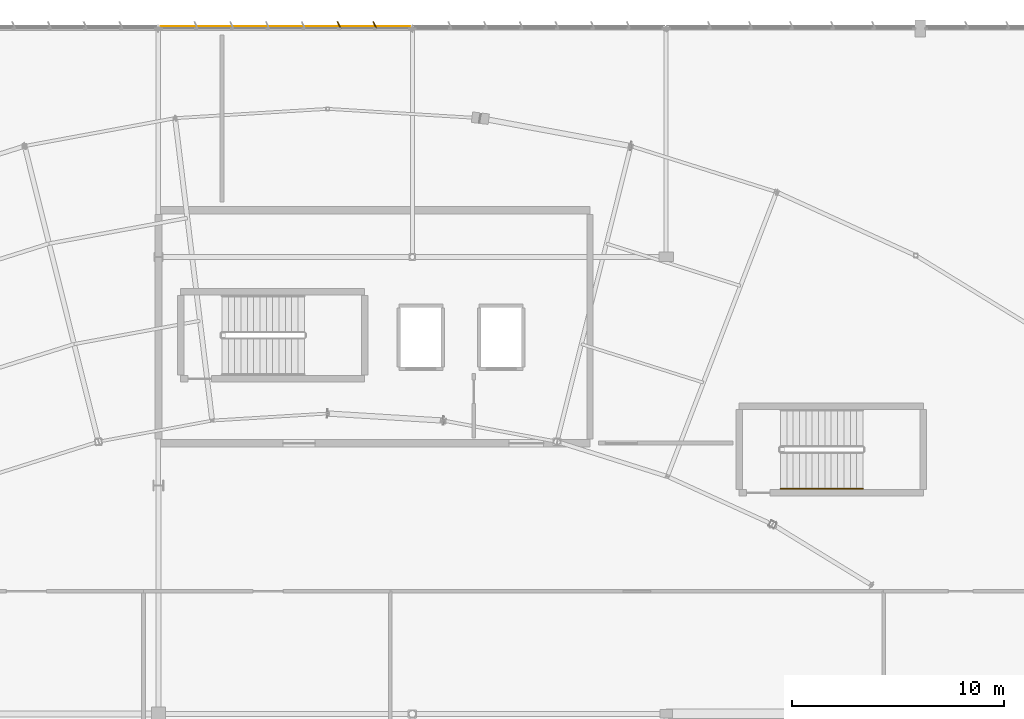
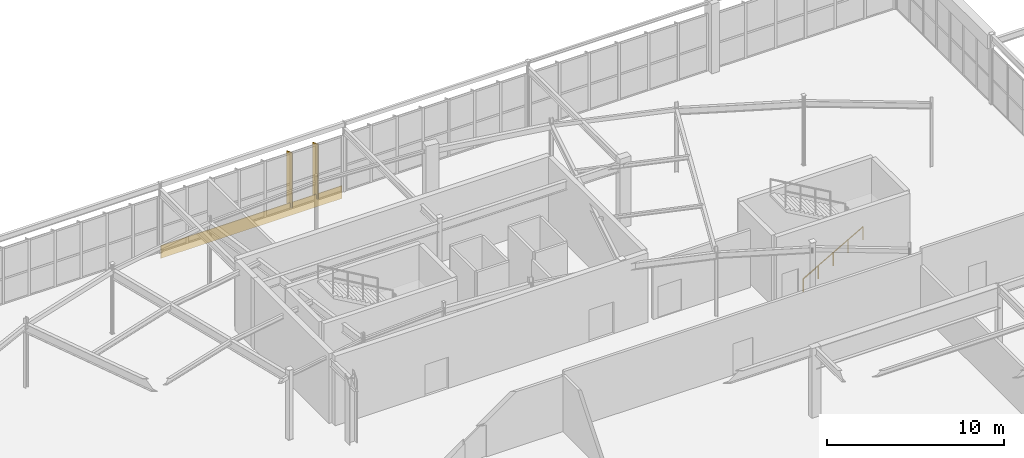
# One storey, part 174 of 186: 2 shading devices, 1 covering, 1 railing.
"""IFC4 building model written with IfcOpenShell, lengths in metres."""

from ifc_helpers import new_model, si_unit, direction, frame, origin, origin_2d, place, context, subcontext, project, spatial, rectangle, circle, extrude, material, layer, layer_set, type_object, element, save


model = new_model("IFC4")

# Units and contexts
model_context = context("Model", 3, precision=1e-05, world=origin(), true_north=direction((0.0, 1.0)))
body_context = subcontext(model_context, "Body", "Model", "MODEL_VIEW")
ifc_project = project(units=[si_unit("LENGTHUNIT", "METRE"), si_unit("AREAUNIT", "SQUARE_METRE"), si_unit("VOLUMEUNIT", "CUBIC_METRE"), si_unit("PLANEANGLEUNIT", "RADIAN"), si_unit("MASSUNIT", "GRAM", prefix="KILO")], contexts=[model_context])

# Site, building, storey
site_placement = place(None, origin())
site = spatial("IfcSite", under=ifc_project, at=site_placement, CompositionType="ELEMENT")
building_placement = place(site_placement, origin())
building = spatial("IfcBuilding", under=site, at=building_placement, Name="Tarnwether General Hospital", CompositionType="ELEMENT")
storey_placement = place(building_placement, frame((0.0, 0.0, 9.60009765625)))
storey = spatial("IfcBuildingStorey", under=building, at=storey_placement, Name="L02", CompositionType="ELEMENT", Elevation=9.60009765625)

# Covering
ifc_material_1 = material(Name="Folded zinc-titanium cladding")
ifc_layer_1 = layer(ifc_material_1, 0.0400390625)
ifc_layer_set_1 = layer_set([ifc_layer_1], Name="Folded zinc-titanium cladding")
covering_type = type_object("IfcCoveringType", Name="CV-CLD-ZNC", PredefinedType="CLADDING", material=ifc_layer_set_1)
covering_placement = place(storey_placement, frame((90.0, 126.090087890625, -0.52001953125), z_axis=(0.0, 0.0, 1.0), x_axis=(1.0, 0.0, 0.0)))
element("IfcCovering", 1, at=covering_placement, inside=storey, type_object=covering_type, Name="Diagnostic Base Faceted Zinc Spandrel 085", PredefinedType="CLADDING", context=body_context, shape_type="SweptSolid", body=[
    extrude(rectangle(XDim=11.800048828125, YDim=0.0400390625, at=origin_2d()), origin(), (0.0, 0.0, 1.0), 0.8798828125),
])

# Railing
ifc_material_2 = material(Name="Anodised aluminium", Category="aluminium")
railing_type = type_object("IfcRailingType", Name="RL-HND-INT", PredefinedType="HANDRAIL", material=ifc_material_2)
railing_placement = place(storey_placement, frame((113.39990234375, 104.25, 0.17138671875)))
element("IfcRailing", 2, at=railing_placement, inside=storey, type_object=railing_type, Name="L02 ST-08 stair handrail 1", PredefinedType="HANDRAIL", context=body_context, shape_type="SweptSolid", body=[
    extrude(circle(Radius=0.02392578125, at=origin_2d()), frame((0.0, 0.0, 0.8759765625), z_axis=(0.868256520506, 0.0, 0.496115525457), x_axis=(0.0, 1.0, 0.0)), (0.0, 0.0, 1.0), 4.491943359375),
    extrude(circle(Radius=0.02099609375, at=origin_2d()), origin(), (0.0, 0.0, 1.0), 0.851806640625),
    extrude(circle(Radius=0.02099609375, at=origin_2d()), frame((0.97509765625, 0.0, 0.55712890625)), (0.0, 0.0, 1.0), 0.851806640625),
    extrude(circle(Radius=0.02099609375, at=origin_2d()), frame((1.9501953125, 0.0, 1.1142578125)), (0.0, 0.0, 1.0), 0.851806640625),
    extrude(circle(Radius=0.02099609375, at=origin_2d()), frame((2.925048828125, 0.0, 1.67138671875)), (0.0, 0.0, 1.0), 0.851806640625),
    extrude(circle(Radius=0.02099609375, at=origin_2d()), frame((3.900146484375, 0.0, 2.228515625)), (0.0, 0.0, 1.0), 0.851806640625),
])

# Shading devices
ifc_material_3 = material(Name="Champagne-bronze anodised aluminium", Category="aluminium")
ifc_layer_2 = layer(ifc_material_3, 0.06005859375)
ifc_layer_set_2 = layer_set([ifc_layer_2], Name="Champagne-bronze anodised aluminium")
shading_device_type = type_object("IfcShadingDeviceType", Name="SH-FIN-BRZ", PredefinedType="USERDEFINED", material=ifc_layer_set_2)
for number, where, z_axis, x_axis, name in (
    (3, (92.534912109375, 126.159912109375, 0.0498046875), (0.0, 0.0, 1.0), (0.906307787037, 0.422618261741, 0.0), "Champagne-Bronze Brise-Soleil Fin 0396"),
    (4, (94.22509765625, 126.159912109375, 0.0498046875), (0.0, 0.0, 1.0), (0.906307787037, 0.422618261741, 0.0), "Champagne-Bronze Brise-Soleil Fin 0397"),
):
    element("IfcShadingDevice", number, at=place(storey_placement, frame(where, z_axis=z_axis, x_axis=x_axis)), inside=storey, type_object=shading_device_type, Name=name, ObjectType="SOLAR FIN", PredefinedType="USERDEFINED", context=body_context, shape_type="SweptSolid", body=[
        extrude(rectangle(XDim=0.06005859375, YDim=0.360107421875, at=origin_2d()), origin(), (0.0, 0.0, 1.0), 3.787109375),
    ])

save(model, "model.ifc")
